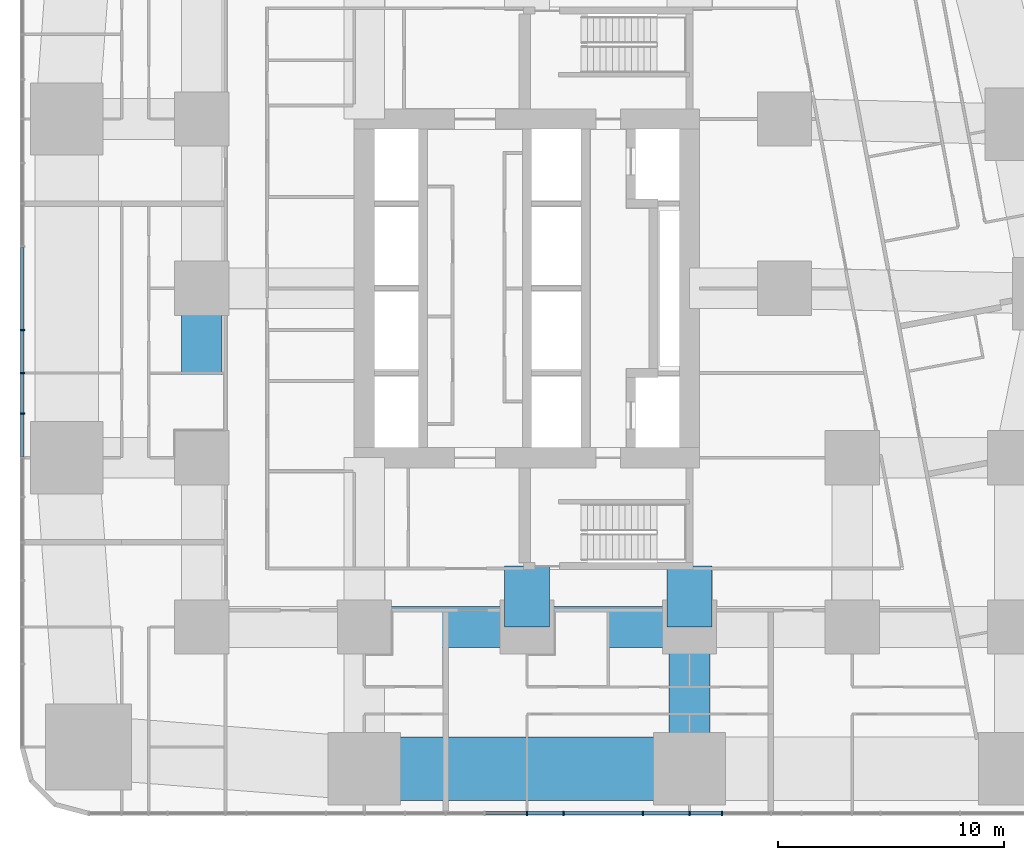
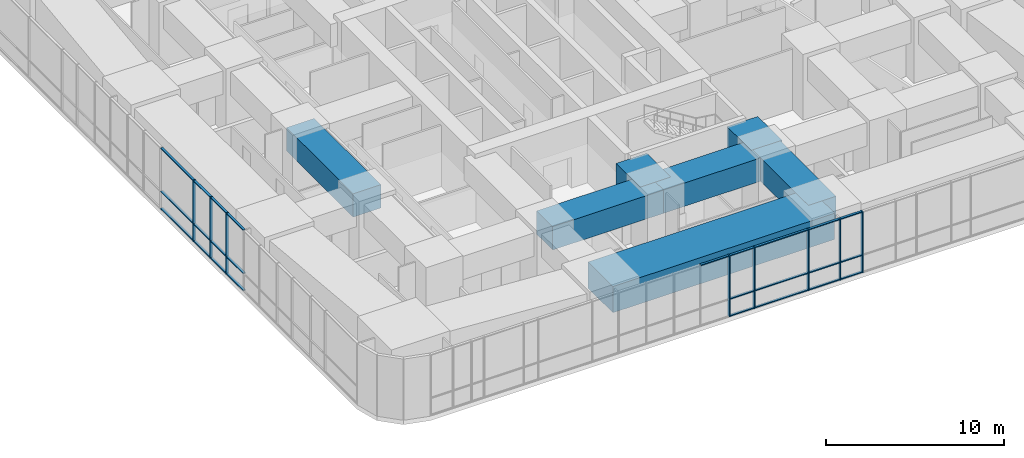
# One storey, part 3 of 22: 33 members, 7 beams, 2 elements without a shape of their own.
"""IFC4 building model written with IfcOpenShell, lengths in metres."""

from ifc_helpers import new_model, si_unit, direction, frame, origin, origin_2d, place, context, subcontext, project, spatial, rectangle, extrude, material, material_profile, profile_set, type_object, element, aggregate, save


model = new_model("IFC4")

# Units and contexts
model_context = context("Model", 3, precision=1e-05, world=origin(), true_north=direction((0.0, 1.0)))
body_context = subcontext(model_context, "Body", "Model", "MODEL_VIEW")
ifc_project = project(units=[si_unit("LENGTHUNIT", "METRE"), si_unit("AREAUNIT", "SQUARE_METRE"), si_unit("VOLUMEUNIT", "CUBIC_METRE"), si_unit("PLANEANGLEUNIT", "RADIAN"), si_unit("MASSUNIT", "GRAM", prefix="KILO")], contexts=[model_context])

# Site, building, storey
site_placement = place(None, origin())
site = spatial("IfcSite", under=ifc_project, at=site_placement, CompositionType="ELEMENT")
building_placement = place(site_placement, origin())
building = spatial("IfcBuilding", under=site, at=building_placement, Name="Sheger Commons Tower", CompositionType="ELEMENT")
storey_placement = place(building_placement, frame((0.0, 0.0, 10.10009765625)))
storey = spatial("IfcBuildingStorey", under=building, at=storey_placement, Name="L02", CompositionType="ELEMENT", Elevation=10.10009765625)

# Beams
ifc_material_1 = material(Name="Concrete C50/60", Category="concrete")
ifc_material_profile_1 = material_profile(ifc_material_1, rectangle(XDim=1.800048828125, YDim=1.60009765625, at=origin_2d()), Name="RC 1800x1600")
ifc_profile_set_1 = profile_set([ifc_material_profile_1], Name="Concrete C50/60")
beam_type_1 = type_object("IfcBeamType", Name="BEAM RC 1800x1600", PredefinedType="BEAM", material=ifc_profile_set_1)
beam_1_placement = place(storey_placement, frame((14.39990234375, 7.5, 3.39990234375), z_axis=(1.0, 0.0, 0.0), x_axis=(0.0, 1.0, 0.0)))
element("IfcBeam", 1, at=beam_1_placement, inside=storey, type_object=beam_type_1, Name="Beam 3/B-4/B under L03", PredefinedType="BEAM", context=body_context, shape_type="SweptSolid", body=[
    extrude(rectangle(XDim=1.800048828125, YDim=1.60009765625, at=origin_2d()), origin(), (0.0, 0.0, 1.0), 7.2001953125),
])
beam_2_placement = place(storey_placement, frame((21.60009765625, 7.5, 3.39990234375), z_axis=(1.0, 0.0, 0.0), x_axis=(0.0, 1.0, 0.0)))
element("IfcBeam", 2, at=beam_2_placement, inside=storey, type_object=beam_type_1, Name="Beam 4/B-5/B under L03", PredefinedType="BEAM", context=body_context, shape_type="SweptSolid", body=[
    extrude(rectangle(XDim=1.800048828125, YDim=1.60009765625, at=origin_2d()), origin(), (0.0, 0.0, 1.0), 7.199951171875),
])
beam_3_placement = place(storey_placement, frame((7.199951171875, 15.0, 3.39990234375), z_axis=(0.0, 1.0, 0.0), x_axis=(-1.0, 0.0, 0.0)))
element("IfcBeam", 3, at=beam_3_placement, inside=storey, type_object=beam_type_1, Name="Beam 2/C-2/D under L03", PredefinedType="BEAM", context=body_context, shape_type="SweptSolid", body=[
    extrude(rectangle(XDim=1.800048828125, YDim=1.60009765625, at=origin_2d()), origin(), (0.0, 0.0, 1.0), 7.5),
])
beam_4_placement = place(storey_placement, frame((28.800048828125, 1.22509765625, 3.39990234375), z_axis=(0.0, 1.0, 0.0), x_axis=(-1.0, 0.0, 0.0)))
element("IfcBeam", 4, at=beam_4_placement, inside=storey, type_object=beam_type_1, Name="Beam 5/A-5/B under L03", PredefinedType="BEAM", context=body_context, shape_type="SweptSolid", body=[
    extrude(rectangle(XDim=1.800048828125, YDim=1.60009765625, at=origin_2d()), origin(), (0.0, 0.0, 1.0), 6.27490234375),
])
ifc_material_2 = material(Name="Concrete C50/60", Category="concrete")
ifc_material_profile_2 = material_profile(ifc_material_2, rectangle(XDim=2.0, YDim=2.0, at=origin_2d()), Name="RC 2000x2000")
ifc_profile_set_2 = profile_set([ifc_material_profile_2], Name="Concrete C50/60")
beam_type_2 = type_object("IfcBeamType", Name="BEAM RC 2000x2000", PredefinedType="BEAM", material=ifc_profile_set_2)
for number, where, z_axis, x_axis, name in (
    (5, (21.60009765625, 7.5, 3.199951171875), (0.0, 1.0, 0.0), (-1.0, 0.0, 0.0), "Beam 4/B-21.600,10.200 under L03"),
    (6, (28.800048828125, 7.5, 3.199951171875), (0.0, 1.0, 0.0), (-1.0, 0.0, 0.0), "Beam 5/B-28.800,10.200 under L03"),
):
    element("IfcBeam", number, at=place(storey_placement, frame(where, z_axis=z_axis, x_axis=x_axis)), inside=storey, type_object=beam_type_2, Name=name, PredefinedType="BEAM", context=body_context, shape_type="SweptSolid", body=[
        extrude(rectangle(XDim=2.0, YDim=2.0, at=origin_2d()), origin(), (0.0, 0.0, 1.0), 2.699951171875),
    ])

# Curtain wall, members
ifc_material_3 = material(Name="Black aluminium curtain wall, dark tinted glazing", Category="aluminium")
curtain_wall_type = type_object("IfcCurtainWallType", Name="CURTAIN WALL CW2 HEALTH CENTRE", PredefinedType="USERDEFINED", material=ifc_material_3)
curtain_wall_1_placement = place(storey_placement, origin())
curtain_wall_1 = element("IfcCurtainWall", 7, at=curtain_wall_1_placement, inside=storey, type_object=curtain_wall_type, Name="Curtain Wall Cw2 Health Centre S1 L02", ObjectType="STICK CURTAIN WALL", PredefinedType="USERDEFINED")
ifc_material_4 = material(Name="Black anodised aluminium", Category="aluminium")
ifc_material_profile_3 = material_profile(ifc_material_4, rectangle(XDim=0.199951171875, YDim=0.06494140625, at=origin_2d()), Name="AL 65x200")
ifc_profile_set_3 = profile_set([ifc_material_profile_3], Name="Black anodised aluminium")
member_type_1 = type_object("IfcMemberType", Name="MULLION AL 65x200", PredefinedType="MULLION", material=ifc_profile_set_3)
member_1_placement = place(storey_placement, frame((21.60009765625, -0.75, 0.0), z_axis=(0.0, 0.0, 1.0), x_axis=(0.0, 1.0, 0.0)))
member_1 = element("IfcMember", 8, at=member_1_placement, type_object=member_type_1, Name="CW2 mullion 12", PredefinedType="MULLION", context=body_context, shape_type="SweptSolid", body=[
    extrude(rectangle(XDim=0.199951171875, YDim=0.06494140625, at=origin_2d()), origin(), (0.0, 0.0, 1.0), 4.199951171875),
])
member_2_placement = place(storey_placement, frame((23.221923828125, -0.75, 0.0), z_axis=(0.0, 0.0, 1.0), x_axis=(0.0, 1.0, 0.0)))
member_2 = element("IfcMember", 9, at=member_2_placement, type_object=member_type_1, Name="CW2 mullion 13", PredefinedType="MULLION", context=body_context, shape_type="SweptSolid", body=[
    extrude(rectangle(XDim=0.199951171875, YDim=0.06494140625, at=origin_2d()), origin(), (0.0, 0.0, 1.0), 4.199951171875),
])
member_3_placement = place(storey_placement, frame((26.73193359375, -0.75, 0.0), z_axis=(0.0, 0.0, 1.0), x_axis=(0.0, 1.0, 0.0)))
member_3 = element("IfcMember", 10, at=member_3_placement, type_object=member_type_1, Name="CW2 mullion 14", PredefinedType="MULLION", context=body_context, shape_type="SweptSolid", body=[
    extrude(rectangle(XDim=0.199951171875, YDim=0.06494140625, at=origin_2d()), origin(), (0.0, 0.0, 1.0), 4.199951171875),
])
member_4_placement = place(storey_placement, frame((28.800048828125, -0.75, 0.0), z_axis=(0.0, 0.0, 1.0), x_axis=(0.0, 1.0, 0.0)))
member_4 = element("IfcMember", 11, at=member_4_placement, type_object=member_type_1, Name="CW2 mullion 15", PredefinedType="MULLION", context=body_context, shape_type="SweptSolid", body=[
    extrude(rectangle(XDim=0.199951171875, YDim=0.06494140625, at=origin_2d()), origin(), (0.0, 0.0, 1.0), 4.199951171875),
])
member_5_placement = place(storey_placement, frame((30.241943359375, -0.75, 0.0), z_axis=(0.0, 0.0, 1.0), x_axis=(0.0, 1.0, 0.0)))
member_5 = element("IfcMember", 12, at=member_5_placement, type_object=member_type_1, Name="CW2 mullion 16", PredefinedType="MULLION", context=body_context, shape_type="SweptSolid", body=[
    extrude(rectangle(XDim=0.199951171875, YDim=0.06494140625, at=origin_2d()), origin(), (0.0, 0.0, 1.0), 4.199951171875),
])

curtain_wall_2_placement = place(storey_placement, origin())
curtain_wall_2 = element("IfcCurtainWall", 13, at=curtain_wall_2_placement, inside=storey, type_object=curtain_wall_type, Name="Curtain Wall Cw2 Health Centre W1 L02", ObjectType="STICK CURTAIN WALL", PredefinedType="USERDEFINED")
member_6_placement = place(storey_placement, frame((-0.75, 20.65087890625, 0.0), z_axis=(0.0, 0.0, 1.0), x_axis=(1.0, 0.0, 0.0)))
member_6 = element("IfcMember", 14, at=member_6_placement, type_object=member_type_1, Name="CW2 mullion 10", PredefinedType="MULLION", context=body_context, shape_type="SweptSolid", body=[
    extrude(rectangle(XDim=0.199951171875, YDim=0.06494140625, at=origin_2d()), origin(), (0.0, 0.0, 1.0), 4.199951171875),
])
member_7_placement = place(storey_placement, frame((-0.75, 18.75, 0.0), z_axis=(0.0, 0.0, 1.0), x_axis=(1.0, 0.0, 0.0)))
member_7 = element("IfcMember", 15, at=member_7_placement, type_object=member_type_1, Name="CW2 mullion 11", PredefinedType="MULLION", context=body_context, shape_type="SweptSolid", body=[
    extrude(rectangle(XDim=0.199951171875, YDim=0.06494140625, at=origin_2d()), origin(), (0.0, 0.0, 1.0), 4.199951171875),
])
member_8_placement = place(storey_placement, frame((-0.75, 16.9541015625, 0.0), z_axis=(0.0, 0.0, 1.0), x_axis=(1.0, 0.0, 0.0)))
member_8 = element("IfcMember", 16, at=member_8_placement, type_object=member_type_1, Name="CW2 mullion 12", PredefinedType="MULLION", context=body_context, shape_type="SweptSolid", body=[
    extrude(rectangle(XDim=0.199951171875, YDim=0.06494140625, at=origin_2d()), origin(), (0.0, 0.0, 1.0), 4.199951171875),
])

# Beam
ifc_material_5 = material(Name="Concrete C50/60", Category="concrete")
ifc_material_profile_4 = material_profile(ifc_material_5, rectangle(XDim=2.800048828125, YDim=1.800048828125, at=origin_2d()), Name="RC 2800x1800")
ifc_profile_set_4 = profile_set([ifc_material_profile_4], Name="Concrete C50/60")
beam_type_3 = type_object("IfcBeamType", Name="SPANDREL RC 2800x1800", PredefinedType="SPANDREL", material=ifc_profile_set_4)
beam_5_placement = place(storey_placement, frame((14.39990234375, 1.22509765625, 3.2998046875), z_axis=(1.0, 0.0, 0.0), x_axis=(0.0, 1.0, 0.0)))
element("IfcBeam", 17, at=beam_5_placement, inside=storey, type_object=beam_type_3, Name="Beam 3/A-5/A under L03", PredefinedType="SPANDREL", context=body_context, shape_type="SweptSolid", body=[
    extrude(rectangle(XDim=2.800048828125, YDim=1.800048828125, at=origin_2d()), origin(), (0.0, 0.0, 1.0), 14.400146484375),
])

# Member
ifc_material_6 = material(Name="Black anodised aluminium", Category="aluminium")
ifc_material_profile_5 = material_profile(ifc_material_6, rectangle(XDim=0.14990234375, YDim=0.06494140625, at=origin_2d()), Name="AL 65x150")
ifc_profile_set_5 = profile_set([ifc_material_profile_5], Name="Black anodised aluminium")
member_type_2 = type_object("IfcMemberType", Name="TRANSOM AL 65x150", PredefinedType="USERDEFINED", material=ifc_profile_set_5)
member_9_placement = place(storey_placement, frame((19.744384765625, -0.75, 4.16748046875), z_axis=(1.0, 0.0, 0.0), x_axis=(0.0, 1.0, 0.0)))
member_9 = element("IfcMember", 18, at=member_9_placement, type_object=member_type_2, Name="CW2 transom 11.3", ObjectType="TRANSOM", PredefinedType="USERDEFINED", context=body_context, shape_type="SweptSolid", body=[
    extrude(rectangle(XDim=0.14990234375, YDim=0.06494140625, at=origin_2d()), origin(), (0.0, 0.0, 1.0), 1.822998046875),
])

member_10_placement = place(storey_placement, frame((21.632568359375, -0.75, 0.032470703125), z_axis=(1.0, 0.0, 0.0), x_axis=(0.0, 1.0, 0.0)))
member_10 = element("IfcMember", 19, at=member_10_placement, type_object=member_type_2, Name="CW2 transom 12.1", ObjectType="TRANSOM", PredefinedType="USERDEFINED", context=body_context, shape_type="SweptSolid", body=[
    extrude(rectangle(XDim=0.14990234375, YDim=0.06494140625, at=origin_2d()), origin(), (0.0, 0.0, 1.0), 1.556884765625),
])

member_11_placement = place(storey_placement, frame((21.632568359375, -0.75, 1.199951171875), z_axis=(1.0, 0.0, 0.0), x_axis=(0.0, 1.0, 0.0)))
member_11 = element("IfcMember", 20, at=member_11_placement, type_object=member_type_2, Name="CW2 transom 12.2", ObjectType="TRANSOM", PredefinedType="USERDEFINED", context=body_context, shape_type="SweptSolid", body=[
    extrude(rectangle(XDim=0.14990234375, YDim=0.06494140625, at=origin_2d()), origin(), (0.0, 0.0, 1.0), 1.556884765625),
])

member_12_placement = place(storey_placement, frame((21.632568359375, -0.75, 4.16748046875), z_axis=(1.0, 0.0, 0.0), x_axis=(0.0, 1.0, 0.0)))
member_12 = element("IfcMember", 21, at=member_12_placement, type_object=member_type_2, Name="CW2 transom 12.3", ObjectType="TRANSOM", PredefinedType="USERDEFINED", context=body_context, shape_type="SweptSolid", body=[
    extrude(rectangle(XDim=0.14990234375, YDim=0.06494140625, at=origin_2d()), origin(), (0.0, 0.0, 1.0), 1.556884765625),
])

member_13_placement = place(storey_placement, frame((23.25439453125, -0.75, 0.032470703125), z_axis=(1.0, 0.0, 0.0), x_axis=(0.0, 1.0, 0.0)))
member_13 = element("IfcMember", 22, at=member_13_placement, type_object=member_type_2, Name="CW2 transom 13.1", ObjectType="TRANSOM", PredefinedType="USERDEFINED", context=body_context, shape_type="SweptSolid", body=[
    extrude(rectangle(XDim=0.14990234375, YDim=0.06494140625, at=origin_2d()), origin(), (0.0, 0.0, 1.0), 3.445068359375),
])

member_14_placement = place(storey_placement, frame((23.25439453125, -0.75, 1.199951171875), z_axis=(1.0, 0.0, 0.0), x_axis=(0.0, 1.0, 0.0)))
member_14 = element("IfcMember", 23, at=member_14_placement, type_object=member_type_2, Name="CW2 transom 13.2", ObjectType="TRANSOM", PredefinedType="USERDEFINED", context=body_context, shape_type="SweptSolid", body=[
    extrude(rectangle(XDim=0.14990234375, YDim=0.06494140625, at=origin_2d()), origin(), (0.0, 0.0, 1.0), 3.445068359375),
])

member_15_placement = place(storey_placement, frame((23.25439453125, -0.75, 4.16748046875), z_axis=(1.0, 0.0, 0.0), x_axis=(0.0, 1.0, 0.0)))
member_15 = element("IfcMember", 24, at=member_15_placement, type_object=member_type_2, Name="CW2 transom 13.3", ObjectType="TRANSOM", PredefinedType="USERDEFINED", context=body_context, shape_type="SweptSolid", body=[
    extrude(rectangle(XDim=0.14990234375, YDim=0.06494140625, at=origin_2d()), origin(), (0.0, 0.0, 1.0), 3.445068359375),
])

member_16_placement = place(storey_placement, frame((26.764404296875, -0.75, 0.032470703125), z_axis=(1.0, 0.0, 0.0), x_axis=(0.0, 1.0, 0.0)))
member_16 = element("IfcMember", 25, at=member_16_placement, type_object=member_type_2, Name="CW2 transom 14.1", ObjectType="TRANSOM", PredefinedType="USERDEFINED", context=body_context, shape_type="SweptSolid", body=[
    extrude(rectangle(XDim=0.14990234375, YDim=0.06494140625, at=origin_2d()), origin(), (0.0, 0.0, 1.0), 2.003173828125),
])

member_17_placement = place(storey_placement, frame((26.764404296875, -0.75, 1.199951171875), z_axis=(1.0, 0.0, 0.0), x_axis=(0.0, 1.0, 0.0)))
member_17 = element("IfcMember", 26, at=member_17_placement, type_object=member_type_2, Name="CW2 transom 14.2", ObjectType="TRANSOM", PredefinedType="USERDEFINED", context=body_context, shape_type="SweptSolid", body=[
    extrude(rectangle(XDim=0.14990234375, YDim=0.06494140625, at=origin_2d()), origin(), (0.0, 0.0, 1.0), 2.003173828125),
])

member_18_placement = place(storey_placement, frame((26.764404296875, -0.75, 4.16748046875), z_axis=(1.0, 0.0, 0.0), x_axis=(0.0, 1.0, 0.0)))
member_18 = element("IfcMember", 27, at=member_18_placement, type_object=member_type_2, Name="CW2 transom 14.3", ObjectType="TRANSOM", PredefinedType="USERDEFINED", context=body_context, shape_type="SweptSolid", body=[
    extrude(rectangle(XDim=0.14990234375, YDim=0.06494140625, at=origin_2d()), origin(), (0.0, 0.0, 1.0), 2.003173828125),
])

member_19_placement = place(storey_placement, frame((28.83251953125, -0.75, 0.032470703125), z_axis=(1.0, 0.0, 0.0), x_axis=(0.0, 1.0, 0.0)))
member_19 = element("IfcMember", 28, at=member_19_placement, type_object=member_type_2, Name="CW2 transom 15.1", ObjectType="TRANSOM", PredefinedType="USERDEFINED", context=body_context, shape_type="SweptSolid", body=[
    extrude(rectangle(XDim=0.14990234375, YDim=0.06494140625, at=origin_2d()), origin(), (0.0, 0.0, 1.0), 1.376953125),
])

member_20_placement = place(storey_placement, frame((28.83251953125, -0.75, 1.199951171875), z_axis=(1.0, 0.0, 0.0), x_axis=(0.0, 1.0, 0.0)))
member_20 = element("IfcMember", 29, at=member_20_placement, type_object=member_type_2, Name="CW2 transom 15.2", ObjectType="TRANSOM", PredefinedType="USERDEFINED", context=body_context, shape_type="SweptSolid", body=[
    extrude(rectangle(XDim=0.14990234375, YDim=0.06494140625, at=origin_2d()), origin(), (0.0, 0.0, 1.0), 1.376953125),
])

member_21_placement = place(storey_placement, frame((28.83251953125, -0.75, 4.16748046875), z_axis=(1.0, 0.0, 0.0), x_axis=(0.0, 1.0, 0.0)))
member_21 = element("IfcMember", 30, at=member_21_placement, type_object=member_type_2, Name="CW2 transom 15.3", ObjectType="TRANSOM", PredefinedType="USERDEFINED", context=body_context, shape_type="SweptSolid", body=[
    extrude(rectangle(XDim=0.14990234375, YDim=0.06494140625, at=origin_2d()), origin(), (0.0, 0.0, 1.0), 1.376953125),
])

aggregate(curtain_wall_1, [member_1, member_2, member_3, member_4, member_5, member_9, member_10, member_11, member_12, member_13, member_14, member_15, member_16, member_17, member_18, member_19, member_20, member_21])

member_22_placement = place(storey_placement, frame((-0.75, 24.31640625, 0.032470703125), z_axis=(0.0, -1.0, 0.0), x_axis=(1.0, 0.0, 0.0)))
member_22 = element("IfcMember", 31, at=member_22_placement, type_object=member_type_2, Name="CW2 transom 9.1", ObjectType="TRANSOM", PredefinedType="USERDEFINED", context=body_context, shape_type="SweptSolid", body=[
    extrude(rectangle(XDim=0.14990234375, YDim=0.06494140625, at=origin_2d()), origin(), (0.0, 0.0, 1.0), 3.6328125),
])

member_23_placement = place(storey_placement, frame((-0.75, 24.31640625, 1.199951171875), z_axis=(0.0, -1.0, 0.0), x_axis=(1.0, 0.0, 0.0)))
member_23 = element("IfcMember", 32, at=member_23_placement, type_object=member_type_2, Name="CW2 transom 9.2", ObjectType="TRANSOM", PredefinedType="USERDEFINED", context=body_context, shape_type="SweptSolid", body=[
    extrude(rectangle(XDim=0.14990234375, YDim=0.06494140625, at=origin_2d()), origin(), (0.0, 0.0, 1.0), 3.6328125),
])

member_24_placement = place(storey_placement, frame((-0.75, 24.31640625, 4.16748046875), z_axis=(0.0, -1.0, 0.0), x_axis=(1.0, 0.0, 0.0)))
member_24 = element("IfcMember", 33, at=member_24_placement, type_object=member_type_2, Name="CW2 transom 9.3", ObjectType="TRANSOM", PredefinedType="USERDEFINED", context=body_context, shape_type="SweptSolid", body=[
    extrude(rectangle(XDim=0.14990234375, YDim=0.06494140625, at=origin_2d()), origin(), (0.0, 0.0, 1.0), 3.6328125),
])

member_25_placement = place(storey_placement, frame((-0.75, 20.618408203125, 0.032470703125), z_axis=(0.0, -1.0, 0.0), x_axis=(1.0, 0.0, 0.0)))
member_25 = element("IfcMember", 34, at=member_25_placement, type_object=member_type_2, Name="CW2 transom 10.1", ObjectType="TRANSOM", PredefinedType="USERDEFINED", context=body_context, shape_type="SweptSolid", body=[
    extrude(rectangle(XDim=0.14990234375, YDim=0.06494140625, at=origin_2d()), origin(), (0.0, 0.0, 1.0), 1.8359375),
])

member_26_placement = place(storey_placement, frame((-0.75, 20.618408203125, 1.199951171875), z_axis=(0.0, -1.0, 0.0), x_axis=(1.0, 0.0, 0.0)))
member_26 = element("IfcMember", 35, at=member_26_placement, type_object=member_type_2, Name="CW2 transom 10.2", ObjectType="TRANSOM", PredefinedType="USERDEFINED", context=body_context, shape_type="SweptSolid", body=[
    extrude(rectangle(XDim=0.14990234375, YDim=0.06494140625, at=origin_2d()), origin(), (0.0, 0.0, 1.0), 1.8359375),
])

member_27_placement = place(storey_placement, frame((-0.75, 20.618408203125, 4.16748046875), z_axis=(0.0, -1.0, 0.0), x_axis=(1.0, 0.0, 0.0)))
member_27 = element("IfcMember", 36, at=member_27_placement, type_object=member_type_2, Name="CW2 transom 10.3", ObjectType="TRANSOM", PredefinedType="USERDEFINED", context=body_context, shape_type="SweptSolid", body=[
    extrude(rectangle(XDim=0.14990234375, YDim=0.06494140625, at=origin_2d()), origin(), (0.0, 0.0, 1.0), 1.8359375),
])

member_28_placement = place(storey_placement, frame((-0.75, 18.717529296875, 0.032470703125), z_axis=(0.0, -1.0, 0.0), x_axis=(1.0, 0.0, 0.0)))
member_28 = element("IfcMember", 37, at=member_28_placement, type_object=member_type_2, Name="CW2 transom 11.1", ObjectType="TRANSOM", PredefinedType="USERDEFINED", context=body_context, shape_type="SweptSolid", body=[
    extrude(rectangle(XDim=0.14990234375, YDim=0.06494140625, at=origin_2d()), origin(), (0.0, 0.0, 1.0), 1.73095703125),
])

member_29_placement = place(storey_placement, frame((-0.75, 18.717529296875, 1.199951171875), z_axis=(0.0, -1.0, 0.0), x_axis=(1.0, 0.0, 0.0)))
member_29 = element("IfcMember", 38, at=member_29_placement, type_object=member_type_2, Name="CW2 transom 11.2", ObjectType="TRANSOM", PredefinedType="USERDEFINED", context=body_context, shape_type="SweptSolid", body=[
    extrude(rectangle(XDim=0.14990234375, YDim=0.06494140625, at=origin_2d()), origin(), (0.0, 0.0, 1.0), 1.73095703125),
])

member_30_placement = place(storey_placement, frame((-0.75, 18.717529296875, 4.16748046875), z_axis=(0.0, -1.0, 0.0), x_axis=(1.0, 0.0, 0.0)))
member_30 = element("IfcMember", 39, at=member_30_placement, type_object=member_type_2, Name="CW2 transom 11.3", ObjectType="TRANSOM", PredefinedType="USERDEFINED", context=body_context, shape_type="SweptSolid", body=[
    extrude(rectangle(XDim=0.14990234375, YDim=0.06494140625, at=origin_2d()), origin(), (0.0, 0.0, 1.0), 1.73095703125),
])

member_31_placement = place(storey_placement, frame((-0.75, 16.92138671875, 0.032470703125), z_axis=(0.0, -1.0, 0.0), x_axis=(1.0, 0.0, 0.0)))
member_31 = element("IfcMember", 40, at=member_31_placement, type_object=member_type_2, Name="CW2 transom 12.1", ObjectType="TRANSOM", PredefinedType="USERDEFINED", context=body_context, shape_type="SweptSolid", body=[
    extrude(rectangle(XDim=0.14990234375, YDim=0.06494140625, at=origin_2d()), origin(), (0.0, 0.0, 1.0), 1.888916015625),
])

member_32_placement = place(storey_placement, frame((-0.75, 16.92138671875, 1.199951171875), z_axis=(0.0, -1.0, 0.0), x_axis=(1.0, 0.0, 0.0)))
member_32 = element("IfcMember", 41, at=member_32_placement, type_object=member_type_2, Name="CW2 transom 12.2", ObjectType="TRANSOM", PredefinedType="USERDEFINED", context=body_context, shape_type="SweptSolid", body=[
    extrude(rectangle(XDim=0.14990234375, YDim=0.06494140625, at=origin_2d()), origin(), (0.0, 0.0, 1.0), 1.888916015625),
])

member_33_placement = place(storey_placement, frame((-0.75, 16.92138671875, 4.16748046875), z_axis=(0.0, -1.0, 0.0), x_axis=(1.0, 0.0, 0.0)))
member_33 = element("IfcMember", 42, at=member_33_placement, type_object=member_type_2, Name="CW2 transom 12.3", ObjectType="TRANSOM", PredefinedType="USERDEFINED", context=body_context, shape_type="SweptSolid", body=[
    extrude(rectangle(XDim=0.14990234375, YDim=0.06494140625, at=origin_2d()), origin(), (0.0, 0.0, 1.0), 1.888916015625),
])

aggregate(curtain_wall_2, [member_6, member_7, member_8, member_22, member_23, member_24, member_25, member_26, member_27, member_28, member_29, member_30, member_31, member_32, member_33])

save(model, "model.ifc")
